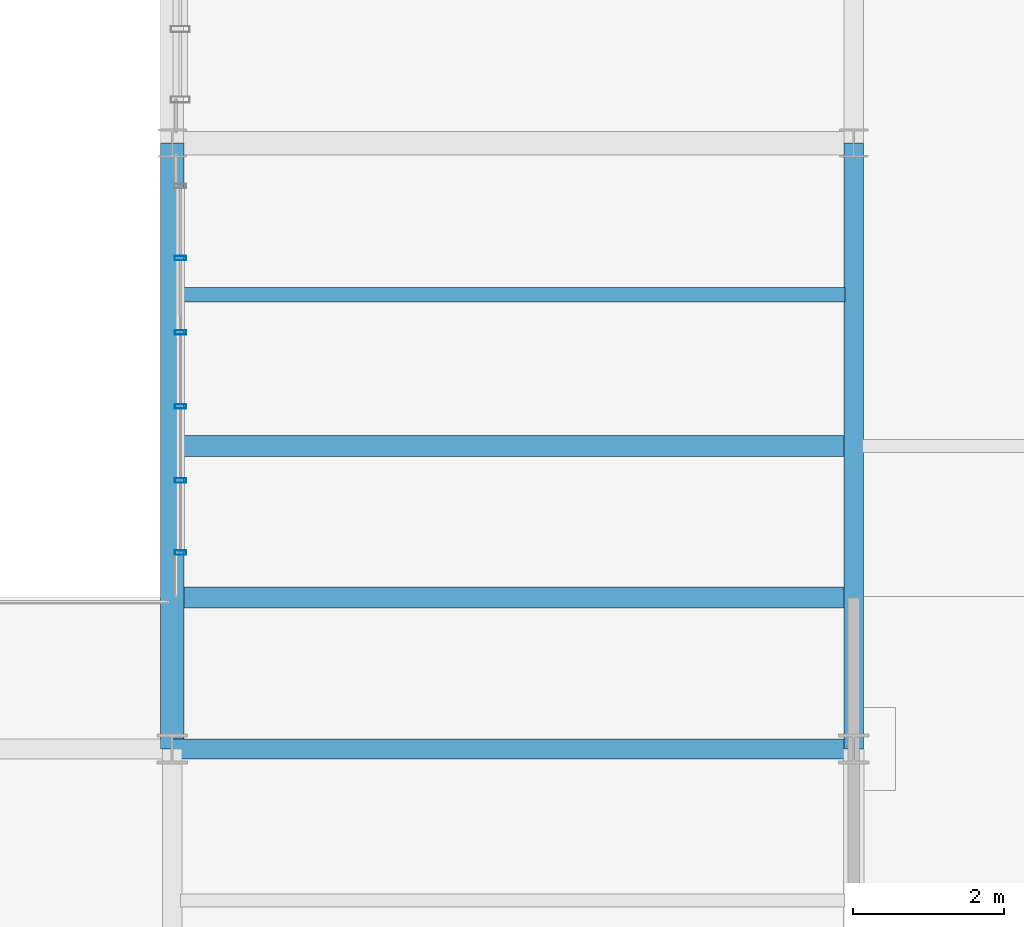
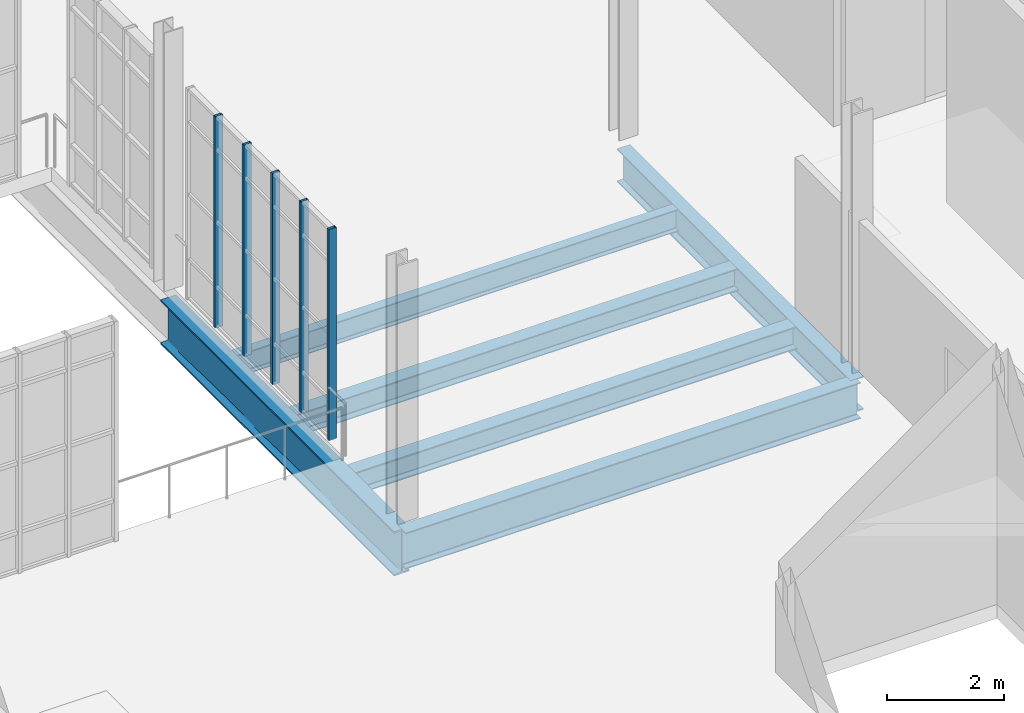
# One storey, part 58 of 189: 6 beams, 5 members, 1 element without a shape of its own.
"""IFC4 building model written with IfcOpenShell, lengths in metres."""

from ifc_helpers import new_model, si_unit, direction, frame, origin, origin_2d, place, context, subcontext, project, spatial, hollow_rectangle, i_section, extrude, material, layer, layer_set, material_profile, profile_set, type_object, element, aggregate, save


model = new_model("IFC4")

# Units and contexts
model_context = context("Model", 3, precision=1e-05, world=origin(), true_north=direction((0.0, 1.0)))
body_context = subcontext(model_context, "Body", "Model", "MODEL_VIEW")
ifc_project = project(units=[si_unit("LENGTHUNIT", "METRE"), si_unit("AREAUNIT", "SQUARE_METRE"), si_unit("VOLUMEUNIT", "CUBIC_METRE"), si_unit("PLANEANGLEUNIT", "RADIAN"), si_unit("MASSUNIT", "GRAM", prefix="KILO"), si_unit("THERMODYNAMICTEMPERATUREUNIT", "KELVIN"), si_unit("POWERUNIT", "WATT")], contexts=[model_context])

# Site, building, storey
site_placement = place(None, origin())
site = spatial("IfcSite", under=ifc_project, at=site_placement, CompositionType="ELEMENT")
building_placement = place(site_placement, origin())
building = spatial("IfcBuilding", under=site, at=building_placement, Name="Zelmaris Science Centre", CompositionType="ELEMENT")
storey_placement = place(building_placement, origin())
storey = spatial("IfcBuildingStorey", under=building, at=storey_placement, Name="L00", CompositionType="ELEMENT", Elevation=0.0)

# Curtain wall, members
ifc_material_1 = material(Name="Anodised architectural aluminium 6063-T6", Category="aluminium")
ifc_layer = layer(ifc_material_1, 0.219970703125, Name="Anodised architectural aluminium 6063-T6")
ifc_layer_set = layer_set([ifc_layer], Name="Anodised architectural aluminium 6063-T6")
curtain_wall_type = type_object("IfcCurtainWallType", Name="Curtain Wall CW-04", PredefinedType="USERDEFINED", material=ifc_layer_set)
curtain_wall_placement = place(storey_placement, origin())
curtain_wall = element("IfcCurtainWall", 1, at=curtain_wall_placement, inside=storey, type_object=curtain_wall_type, Name="L00 Unitised curtain wall 68", ObjectType="GLAZED CURTAIN WALL", PredefinedType="USERDEFINED")
ifc_material_profile_1 = material_profile(ifc_material_1, hollow_rectangle(XDim=0.06005859375, YDim=0.14990234375, WallThickness=0.00341796875, at=origin_2d()), Name="ALU-MUL-60X150")
ifc_profile_set_1 = profile_set([ifc_material_profile_1], Name="Anodised architectural aluminium 6063-T6")
member_type = type_object("IfcMemberType", Name="ALU-MUL-60X150", PredefinedType="MULLION", material=ifc_profile_set_1)
member_1_placement = place(storey_placement, frame((117.109619140625, 34.5927734375, -0.014892578125), z_axis=(0.0, 0.0, 1.0), x_axis=(-0.000352556502, 0.999999937852, 0.0)))
member_1 = element("IfcMember", 2, at=member_1_placement, type_object=member_type, Name="CW-04 mullion 1", PredefinedType="MULLION", context=body_context, shape_type="SweptSolid", body=[
    extrude(hollow_rectangle(XDim=0.06005859375, YDim=0.14990234375, WallThickness=0.00341796875, at=origin_2d()), origin(), (0.0, 0.0, 1.0), 4.421875),
])
member_2_placement = place(storey_placement, frame((117.109375, 35.54541015625, -0.014892578125), z_axis=(0.0, 0.0, 1.0), x_axis=(-0.000352556502, 0.999999937852, 0.0)))
member_2 = element("IfcMember", 3, at=member_2_placement, type_object=member_type, Name="CW-04 mullion 2", PredefinedType="MULLION", context=body_context, shape_type="SweptSolid", body=[
    extrude(hollow_rectangle(XDim=0.06005859375, YDim=0.14990234375, WallThickness=0.00341796875, at=origin_2d()), origin(), (0.0, 0.0, 1.0), 4.421875),
])
member_3_placement = place(storey_placement, frame((117.109130859375, 36.52392578125, -0.014892578125), z_axis=(0.0, 0.0, 1.0), x_axis=(-0.000352556502, 0.999999937852, 0.0)))
member_3 = element("IfcMember", 4, at=member_3_placement, type_object=member_type, Name="CW-04 mullion 3", PredefinedType="MULLION", context=body_context, shape_type="SweptSolid", body=[
    extrude(hollow_rectangle(XDim=0.06005859375, YDim=0.14990234375, WallThickness=0.00341796875, at=origin_2d()), origin(), (0.0, 0.0, 1.0), 4.421875),
])
member_4_placement = place(storey_placement, frame((117.108642578125, 37.502685546875, -0.014892578125), z_axis=(0.0, 0.0, 1.0), x_axis=(-0.000352556502, 0.999999937852, 0.0)))
member_4 = element("IfcMember", 5, at=member_4_placement, type_object=member_type, Name="CW-04 mullion 4", PredefinedType="MULLION", context=body_context, shape_type="SweptSolid", body=[
    extrude(hollow_rectangle(XDim=0.06005859375, YDim=0.14990234375, WallThickness=0.00341796875, at=origin_2d()), origin(), (0.0, 0.0, 1.0), 4.421875),
])
member_5_placement = place(storey_placement, frame((117.1083984375, 38.4814453125, -0.014892578125), z_axis=(0.0, 0.0, 1.0), x_axis=(-0.000352556502, 0.999999937852, 0.0)))
member_5 = element("IfcMember", 6, at=member_5_placement, type_object=member_type, Name="CW-04 mullion 5", PredefinedType="MULLION", context=body_context, shape_type="SweptSolid", body=[
    extrude(hollow_rectangle(XDim=0.06005859375, YDim=0.14990234375, WallThickness=0.00341796875, at=origin_2d()), origin(), (0.0, 0.0, 1.0), 4.421875),
])
aggregate(curtain_wall, [member_1, member_2, member_3, member_4, member_5])

# Beams
ifc_material_2 = material(Name="Steel ASTM A992 Grade 50", Category="steel")
ifc_material_profile_2 = material_profile(ifc_material_2, i_section(OverallWidth=0.306884765625, OverallDepth=0.927001953125, WebThickness=0.019287109375, FlangeThickness=0.031982421875, FilletRadius=0.02392578125, at=origin_2d()), Name="W36X194")
ifc_profile_set_2 = profile_set([ifc_material_profile_2], Name="Steel ASTM A992 Grade 50")
beam_type_1 = type_object("IfcBeamType", Name="Beam G-03 W36X194", PredefinedType="BEAM", material=ifc_profile_set_2)
beam_1_placement = place(storey_placement, frame((117.0, 32.0, -0.75341796875), z_axis=(0.0, 1.0, 0.0), x_axis=(-1.0, 0.0, 0.0)))
element("IfcBeam", 7, at=beam_1_placement, inside=storey, type_object=beam_type_1, Name="L00 North-south girder 62", PredefinedType="BEAM", context=body_context, shape_type="SweptSolid", body=[
    extrude(i_section(OverallWidth=0.306884765625, OverallDepth=0.927001953125, WebThickness=0.019287109375, FlangeThickness=0.031982421875, FilletRadius=0.02392578125, at=origin_2d()), origin(), (0.0, 0.0, 1.0), 8.0),
])
ifc_material_profile_3 = material_profile(ifc_material_2, i_section(OverallWidth=0.26708984375, OverallDepth=0.757080078125, WebThickness=0.013916015625, FlangeThickness=0.019287109375, FilletRadius=0.01904296875, at=origin_2d()), Name="W30X108")
ifc_profile_set_3 = profile_set([ifc_material_profile_3], Name="Steel ASTM A992 Grade 50")
beam_type_2 = type_object("IfcBeamType", Name="Beam G-10 W30X108", PredefinedType="BEAM", material=ifc_profile_set_3)
beam_2_placement = place(storey_placement, frame((117.0, 32.0, -0.66845703125), z_axis=(1.0, 0.0, 0.0), x_axis=(0.0, 1.0, 0.0)))
element("IfcBeam", 8, at=beam_2_placement, inside=storey, type_object=beam_type_2, Name="L00 East-west girder 129", PredefinedType="BEAM", context=body_context, shape_type="SweptSolid", body=[
    extrude(i_section(OverallWidth=0.26708984375, OverallDepth=0.757080078125, WebThickness=0.013916015625, FlangeThickness=0.019287109375, FilletRadius=0.01904296875, at=origin_2d()), origin(), (0.0, 0.0, 1.0), 9.0),
])
ifc_material_profile_4 = material_profile(ifc_material_2, i_section(OverallWidth=0.257080078125, OverallDepth=0.693115234375, WebThickness=0.014404296875, FlangeThickness=0.023681640625, FilletRadius=0.01806640625, at=origin_2d()), Name="W27X114")
ifc_profile_set_4 = profile_set([ifc_material_profile_4], Name="Steel ASTM A992 Grade 50")
beam_type_3 = type_object("IfcBeamType", Name="Beam G-12 W27X114", PredefinedType="BEAM", material=ifc_profile_set_4)
beam_3_placement = place(storey_placement, frame((126.0, 32.0, -0.636474609375), z_axis=(0.0, 1.0, 0.0), x_axis=(-1.0, 0.0, 0.0)))
element("IfcBeam", 9, at=beam_3_placement, inside=storey, type_object=beam_type_3, Name="L00 North-south girder 68", PredefinedType="BEAM", context=body_context, shape_type="SweptSolid", body=[
    extrude(i_section(OverallWidth=0.257080078125, OverallDepth=0.693115234375, WebThickness=0.014404296875, FlangeThickness=0.023681640625, FilletRadius=0.01806640625, at=origin_2d()), origin(), (0.0, 0.0, 1.0), 8.0),
])
ifc_material_profile_5 = material_profile(ifc_material_2, i_section(OverallWidth=0.281982421875, OverallDepth=0.471923828125, WebThickness=0.013671875, FlangeThickness=0.022216796875, FilletRadius=0.012939453125, at=origin_2d()), Name="W18X97")
ifc_profile_set_5 = profile_set([ifc_material_profile_5], Name="Steel ASTM A992 Grade 50")
beam_type_4 = type_object("IfcBeamType", Name="Beam J-02 W18X97", PredefinedType="JOIST", material=ifc_profile_set_5)
beam_4_placement = place(storey_placement, frame((117.138427734375, 34.0, -0.52587890625), z_axis=(1.0, 0.0, 0.0), x_axis=(0.0, 1.0, 0.0)))
element("IfcBeam", 10, at=beam_4_placement, inside=storey, type_object=beam_type_4, Name="L00 Composite floor joist 82", PredefinedType="JOIST", context=body_context, shape_type="SweptSolid", body=[
    extrude(i_section(OverallWidth=0.281982421875, OverallDepth=0.471923828125, WebThickness=0.013671875, FlangeThickness=0.022216796875, FilletRadius=0.012939453125, at=origin_2d()), origin(), (0.0, 0.0, 1.0), 8.748046875),
])
ifc_material_profile_6 = material_profile(ifc_material_2, i_section(OverallWidth=0.279052734375, OverallDepth=0.4619140625, WebThickness=0.0107421875, FlangeThickness=0.017333984375, FilletRadius=0.012939453125, at=origin_2d()), Name="W18X76")
ifc_profile_set_6 = profile_set([ifc_material_profile_6], Name="Steel ASTM A992 Grade 50")
beam_type_5 = type_object("IfcBeamType", Name="Beam J-03 W18X76", PredefinedType="JOIST", material=ifc_profile_set_6)
beam_5_placement = place(storey_placement, frame((117.138427734375, 36.0, -0.52099609375), z_axis=(1.0, 0.0, 0.0), x_axis=(0.0, 1.0, 0.0)))
element("IfcBeam", 11, at=beam_5_placement, inside=storey, type_object=beam_type_5, Name="L00 Composite floor joist 83", PredefinedType="JOIST", context=body_context, shape_type="SweptSolid", body=[
    extrude(i_section(OverallWidth=0.279052734375, OverallDepth=0.4619140625, WebThickness=0.0107421875, FlangeThickness=0.017333984375, FilletRadius=0.012939453125, at=origin_2d()), origin(), (0.0, 0.0, 1.0), 8.748046875),
])
ifc_material_profile_7 = material_profile(ifc_material_2, i_section(OverallWidth=0.19091796875, OverallDepth=0.4599609375, WebThickness=0.010009765625, FlangeThickness=0.01611328125, FilletRadius=0.012939453125, at=origin_2d()), Name="W18X55")
ifc_profile_set_7 = profile_set([ifc_material_profile_7], Name="Steel ASTM A992 Grade 50")
beam_type_6 = type_object("IfcBeamType", Name="Beam J-04 W18X55", PredefinedType="JOIST", material=ifc_profile_set_7)
beam_6_placement = place(storey_placement, frame((117.138427734375, 38.0, -0.52001953125), z_axis=(1.0, 0.0, 0.0), x_axis=(0.0, 1.0, 0.0)))
element("IfcBeam", 12, at=beam_6_placement, inside=storey, type_object=beam_type_6, Name="L00 Composite floor joist 84", PredefinedType="JOIST", context=body_context, shape_type="SweptSolid", body=[
    extrude(i_section(OverallWidth=0.19091796875, OverallDepth=0.4599609375, WebThickness=0.010009765625, FlangeThickness=0.01611328125, FilletRadius=0.012939453125, at=origin_2d()), origin(), (0.0, 0.0, 1.0), 8.748046875),
])

save(model, "model.ifc")
